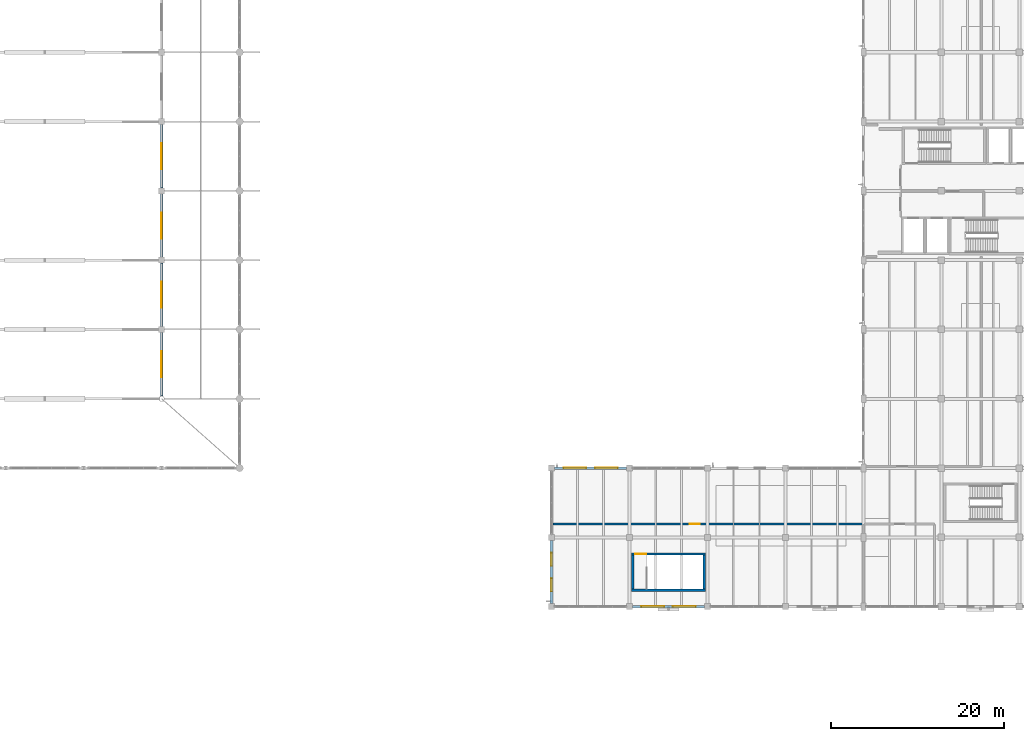
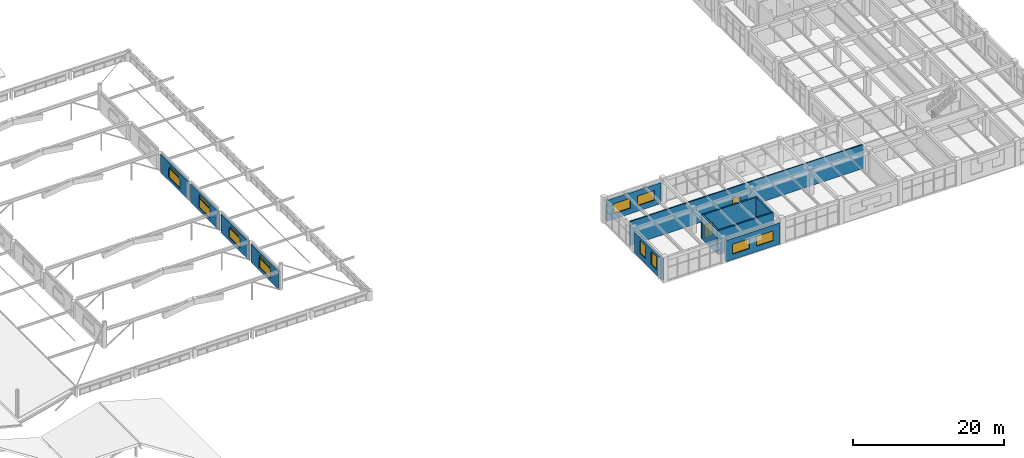
# One storey, part 109 of 128: 14 windows, 12 walls, 2 doors, 16 openings.
"""IFC4 building model written with IfcOpenShell, lengths in metres."""

from ifc_helpers import new_model, si_unit, derived_unit, direction, frame, frame_2d, origin, place, context, subcontext, project, spatial, rectangle, extrude, material, layer, layer_set, type_object, element, fill, save


model = new_model("IFC4")

# Units and contexts
model_context = context("Model", 3, precision=1e-05, world=origin(), true_north=direction((0.0, 1.0)))
body_context = subcontext(model_context, "Body", "Model", "MODEL_VIEW")
ifc_project = project(units=[si_unit("LENGTHUNIT", "METRE"), si_unit("AREAUNIT", "SQUARE_METRE"), si_unit("VOLUMEUNIT", "CUBIC_METRE"), si_unit("PLANEANGLEUNIT", "RADIAN"), si_unit("MASSUNIT", "GRAM", prefix="KILO"), derived_unit("THERMALTRANSMITTANCEUNIT", [(si_unit("MASSUNIT", "GRAM", prefix="KILO"), 1), (si_unit("TIMEUNIT", "SECOND"), -3), (si_unit("THERMODYNAMICTEMPERATUREUNIT", "KELVIN"), -1)])], contexts=[model_context])

# Site, building, storey
site_placement = place(None, origin())
site = spatial("IfcSite", under=ifc_project, at=site_placement, CompositionType="ELEMENT")
building_placement = place(site_placement, origin())
building = spatial("IfcBuilding", under=site, at=building_placement, Name="Zhenchuan Archway Interchange", CompositionType="ELEMENT")
storey_placement = place(building_placement, frame((0.0, 0.0, 14.39990234375)))
storey = spatial("IfcBuildingStorey", under=building, at=storey_placement, Name="L03", CompositionType="ELEMENT", Elevation=14.39990234375)

# Wall, openings, windows
ifc_material_1 = material(Name="Autoclaved Aerated Concrete Block", Category="concrete")
ifc_layer_1 = layer(ifc_material_1, 0.260009765625)
ifc_layer_set_1 = layer_set([ifc_layer_1], Name="Autoclaved Aerated Concrete Block")
wall_type_1 = type_object("IfcWallType", Name="EW_CLER_260", PredefinedType="STANDARD", material=ifc_layer_set_1)
wall_1_placement = place(storey_placement, frame((63.0, 39.652099609375, -0.27978515625), z_axis=(0.0, 0.0, 1.0), x_axis=(0.0, -1.0, 0.0)))
wall_1 = element("IfcWall", 1, at=wall_1_placement, inside=storey, type_object=wall_type_1, Name="Concourse raised clerestory wall E1", PredefinedType="STANDARD", context=body_context, shape_type="SweptSolid", body=[
    extrude(rectangle(XDim=7.35009765625, YDim=0.260009765625, at=frame_2d((3.675048828125, 0.0))), origin(), (0.0, 0.0, 1.0), 2.97998046875),
])
opening_1_placement = place(wall_1_placement, frame((2.175048828125, 0.0, 0.550048828125)))
opening_1 = element("IfcOpeningElement", 2, at=opening_1_placement, cuts=wall_1, Name="Opening W-10", PredefinedType="OPENING", context=body_context, shape_type="SweptSolid", body=[
    extrude(rectangle(XDim=3.0, YDim=1.5, at=frame_2d((1.5, 0.75))), frame((0.0, 0.14208984375, 0.0), z_axis=(0.0, -1.0, 0.0), x_axis=(1.0, 0.0, 0.0)), (0.0, 0.0, 1.0), 0.283935546875),
])
opening_2_placement = place(wall_1_placement, frame((2.27490234375, 0.0, 2.14990234375)))
opening_2 = element("IfcOpeningElement", 3, at=opening_2_placement, cuts=wall_1, Name="Opening SK-01", PredefinedType="OPENING", context=body_context, shape_type="SweptSolid", body=[
    extrude(rectangle(XDim=2.800048828125, YDim=0.419921875, at=frame_2d((1.39990234375, 0.2099609375))), frame((0.0, 0.14208984375, 0.0), z_axis=(0.0, -1.0, 0.0), x_axis=(1.0, 0.0, 0.0)), (0.0, 0.0, 1.0), 0.283935546875),
])
ifc_material_2 = material(Name="Double Low-E Insulated Glazing", Category="glass")
window_type_1 = type_object("IfcWindowType", Name="SK_CLER_2800x1600", PartitioningType="SINGLE_PANEL", PredefinedType="SKYLIGHT", material=ifc_material_2)
window_1_placement = place(opening_2_placement, origin())
window_1 = element("IfcWindow", 4, at=window_1_placement, inside=storey, type_object=window_type_1, Name="Concourse upper clerestory skylight E1", OverallHeight=0.419921875, OverallWidth=2.800048828125, PartitioningType="SINGLE_PANEL", PredefinedType="SKYLIGHT", context=body_context, shape_type="SweptSolid", body=[
    extrude(rectangle(XDim=2.800048828125, YDim=0.419921875, at=frame_2d((1.39990234375, 0.2099609375))), frame((0.0, 0.030029296875, 0.0), z_axis=(0.0, -1.0, 0.0), x_axis=(1.0, 0.0, 0.0)), (0.0, 0.0, 1.0), 0.06005859375),
])
fill(opening_2, window_1)
window_type_2 = type_object("IfcWindowType", Name="WN_CLER_3000x1500", PartitioningType="SINGLE_PANEL", PredefinedType="WINDOW", material=ifc_material_2)
window_2_placement = place(opening_1_placement, origin())
window_2 = element("IfcWindow", 5, at=window_2_placement, inside=storey, type_object=window_type_2, Name="Concourse daylight clerestory window E1", OverallHeight=1.5, OverallWidth=3.0, PartitioningType="SINGLE_PANEL", PredefinedType="WINDOW", context=body_context, shape_type="SweptSolid", body=[
    extrude(rectangle(XDim=3.0, YDim=1.5, at=frame_2d((1.5, 0.75))), frame((0.0, 0.030029296875, 0.0), z_axis=(0.0, -1.0, 0.0), x_axis=(1.0, 0.0, 0.0)), (0.0, 0.0, 1.0), 0.06005859375),
])
fill(opening_1, window_2)

wall_2_placement = place(storey_placement, frame((63.0, 47.652099609375, -0.27978515625), z_axis=(0.0, 0.0, 1.0), x_axis=(0.0, -1.0, 0.0)))
wall_2 = element("IfcWall", 6, at=wall_2_placement, inside=storey, type_object=wall_type_1, Name="Concourse raised clerestory wall E2", PredefinedType="STANDARD", context=body_context, shape_type="SweptSolid", body=[
    extrude(rectangle(XDim=7.30419921875, YDim=0.260009765625, at=frame_2d((3.652099609375, 0.0))), origin(), (0.0, 0.0, 1.0), 2.97998046875),
])
opening_3_placement = place(wall_2_placement, frame((2.152099609375, 0.0, 0.550048828125)))
opening_3 = element("IfcOpeningElement", 7, at=opening_3_placement, cuts=wall_2, Name="Opening W-10", PredefinedType="OPENING", context=body_context, shape_type="SweptSolid", body=[
    extrude(rectangle(XDim=3.0, YDim=1.5, at=frame_2d((1.5, 0.75))), frame((0.0, 0.14208984375, 0.0), z_axis=(0.0, -1.0, 0.0), x_axis=(1.0, 0.0, 0.0)), (0.0, 0.0, 1.0), 0.283935546875),
])
opening_4_placement = place(wall_2_placement, frame((2.552001953125, 0.0, 2.14990234375)))
opening_4 = element("IfcOpeningElement", 8, at=opening_4_placement, cuts=wall_2, Name="Opening SK-02", PredefinedType="OPENING", context=body_context, shape_type="SweptSolid", body=[
    extrude(rectangle(XDim=2.199951171875, YDim=0.419921875, at=frame_2d((1.10009765625, 0.2099609375))), frame((0.0, 0.14208984375, 0.0), z_axis=(0.0, -1.0, 0.0), x_axis=(1.0, 0.0, 0.0)), (0.0, 0.0, 1.0), 0.283935546875),
])
window_type_3 = type_object("IfcWindowType", Name="SK_CLER_2200x1400", PartitioningType="SINGLE_PANEL", PredefinedType="SKYLIGHT", material=ifc_material_2)
window_3_placement = place(opening_4_placement, origin())
window_3 = element("IfcWindow", 9, at=window_3_placement, inside=storey, type_object=window_type_3, Name="Concourse upper clerestory skylight E2", OverallHeight=0.419921875, OverallWidth=2.199951171875, PartitioningType="SINGLE_PANEL", PredefinedType="SKYLIGHT", context=body_context, shape_type="SweptSolid", body=[
    extrude(rectangle(XDim=2.199951171875, YDim=0.419921875, at=frame_2d((1.10009765625, 0.2099609375))), frame((0.0, 0.030029296875, 0.0), z_axis=(0.0, -1.0, 0.0), x_axis=(1.0, 0.0, 0.0)), (0.0, 0.0, 1.0), 0.06005859375),
])
fill(opening_4, window_3)
window_4_placement = place(opening_3_placement, origin())
window_4 = element("IfcWindow", 10, at=window_4_placement, inside=storey, type_object=window_type_2, Name="Concourse daylight clerestory window E2", OverallHeight=1.5, OverallWidth=3.0, PartitioningType="SINGLE_PANEL", PredefinedType="WINDOW", context=body_context, shape_type="SweptSolid", body=[
    extrude(rectangle(XDim=3.0, YDim=1.5, at=frame_2d((1.5, 0.75))), frame((0.0, 0.030029296875, 0.0), z_axis=(0.0, -1.0, 0.0), x_axis=(1.0, 0.0, 0.0)), (0.0, 0.0, 1.0), 0.06005859375),
])
fill(opening_3, window_4)

wall_3_placement = place(storey_placement, frame((63.0, 55.652099609375, -0.27978515625), z_axis=(0.0, 0.0, 1.0), x_axis=(0.0, -1.0, 0.0)))
wall_3 = element("IfcWall", 11, at=wall_3_placement, inside=storey, type_object=wall_type_1, Name="Concourse raised clerestory wall E3", PredefinedType="STANDARD", context=body_context, shape_type="SweptSolid", body=[
    extrude(rectangle(XDim=7.30419921875, YDim=0.260009765625, at=frame_2d((3.652099609375, 0.0))), origin(), (0.0, 0.0, 1.0), 2.97998046875),
])
opening_5_placement = place(wall_3_placement, frame((2.152099609375, 0.0, 0.550048828125)))
opening_5 = element("IfcOpeningElement", 12, at=opening_5_placement, cuts=wall_3, Name="Opening W-10", PredefinedType="OPENING", context=body_context, shape_type="SweptSolid", body=[
    extrude(rectangle(XDim=3.0, YDim=1.5, at=frame_2d((1.5, 0.75))), frame((0.0, 0.14208984375, 0.0), z_axis=(0.0, -1.0, 0.0), x_axis=(1.0, 0.0, 0.0)), (0.0, 0.0, 1.0), 0.283935546875),
])
opening_6_placement = place(wall_3_placement, frame((2.251953125, 0.0, 2.14990234375)))
opening_6 = element("IfcOpeningElement", 13, at=opening_6_placement, cuts=wall_3, Name="Opening SK-01", PredefinedType="OPENING", context=body_context, shape_type="SweptSolid", body=[
    extrude(rectangle(XDim=2.800048828125, YDim=0.419921875, at=frame_2d((1.39990234375, 0.2099609375))), frame((0.0, 0.14208984375, 0.0), z_axis=(0.0, -1.0, 0.0), x_axis=(1.0, 0.0, 0.0)), (0.0, 0.0, 1.0), 0.283935546875),
])
window_5_placement = place(opening_6_placement, origin())
window_5 = element("IfcWindow", 14, at=window_5_placement, inside=storey, type_object=window_type_1, Name="Concourse upper clerestory skylight E3", OverallHeight=0.419921875, OverallWidth=2.800048828125, PartitioningType="SINGLE_PANEL", PredefinedType="SKYLIGHT", context=body_context, shape_type="SweptSolid", body=[
    extrude(rectangle(XDim=2.800048828125, YDim=0.419921875, at=frame_2d((1.39990234375, 0.2099609375))), frame((0.0, 0.030029296875, 0.0), z_axis=(0.0, -1.0, 0.0), x_axis=(1.0, 0.0, 0.0)), (0.0, 0.0, 1.0), 0.06005859375),
])
fill(opening_6, window_5)
window_6_placement = place(opening_5_placement, origin())
window_6 = element("IfcWindow", 15, at=window_6_placement, inside=storey, type_object=window_type_2, Name="Concourse daylight clerestory window E3", OverallHeight=1.5, OverallWidth=3.0, PartitioningType="SINGLE_PANEL", PredefinedType="WINDOW", context=body_context, shape_type="SweptSolid", body=[
    extrude(rectangle(XDim=3.0, YDim=1.5, at=frame_2d((1.5, 0.75))), frame((0.0, 0.030029296875, 0.0), z_axis=(0.0, -1.0, 0.0), x_axis=(1.0, 0.0, 0.0)), (0.0, 0.0, 1.0), 0.06005859375),
])
fill(opening_5, window_6)

wall_4_placement = place(storey_placement, frame((63.0, 63.652099609375, -0.27978515625), z_axis=(0.0, 0.0, 1.0), x_axis=(0.0, -1.0, 0.0)))
wall_4 = element("IfcWall", 16, at=wall_4_placement, inside=storey, type_object=wall_type_1, Name="Concourse raised clerestory wall E4", PredefinedType="STANDARD", context=body_context, shape_type="SweptSolid", body=[
    extrude(rectangle(XDim=7.30419921875, YDim=0.260009765625, at=frame_2d((3.652099609375, 0.0))), origin(), (0.0, 0.0, 1.0), 2.97998046875),
])
opening_7_placement = place(wall_4_placement, frame((2.152099609375, 0.0, 0.550048828125)))
opening_7 = element("IfcOpeningElement", 17, at=opening_7_placement, cuts=wall_4, Name="Opening W-10", PredefinedType="OPENING", context=body_context, shape_type="SweptSolid", body=[
    extrude(rectangle(XDim=3.0, YDim=1.5, at=frame_2d((1.5, 0.75))), frame((0.0, 0.14208984375, 0.0), z_axis=(0.0, -1.0, 0.0), x_axis=(1.0, 0.0, 0.0)), (0.0, 0.0, 1.0), 0.283935546875),
])
opening_8_placement = place(wall_4_placement, frame((2.552001953125, 0.0, 2.14990234375)))
opening_8 = element("IfcOpeningElement", 18, at=opening_8_placement, cuts=wall_4, Name="Opening SK-02", PredefinedType="OPENING", context=body_context, shape_type="SweptSolid", body=[
    extrude(rectangle(XDim=2.199951171875, YDim=0.419921875, at=frame_2d((1.10009765625, 0.2099609375))), frame((0.0, 0.14208984375, 0.0), z_axis=(0.0, -1.0, 0.0), x_axis=(1.0, 0.0, 0.0)), (0.0, 0.0, 1.0), 0.283935546875),
])
window_7_placement = place(opening_8_placement, origin())
window_7 = element("IfcWindow", 19, at=window_7_placement, inside=storey, type_object=window_type_3, Name="Concourse upper clerestory skylight E4", OverallHeight=0.419921875, OverallWidth=2.199951171875, PartitioningType="SINGLE_PANEL", PredefinedType="SKYLIGHT", context=body_context, shape_type="SweptSolid", body=[
    extrude(rectangle(XDim=2.199951171875, YDim=0.419921875, at=frame_2d((1.10009765625, 0.2099609375))), frame((0.0, 0.030029296875, 0.0), z_axis=(0.0, -1.0, 0.0), x_axis=(1.0, 0.0, 0.0)), (0.0, 0.0, 1.0), 0.06005859375),
])
fill(opening_8, window_7)
window_8_placement = place(opening_7_placement, origin())
window_8 = element("IfcWindow", 20, at=window_8_placement, inside=storey, type_object=window_type_2, Name="Concourse daylight clerestory window E4", OverallHeight=1.5, OverallWidth=3.0, PartitioningType="SINGLE_PANEL", PredefinedType="WINDOW", context=body_context, shape_type="SweptSolid", body=[
    extrude(rectangle(XDim=3.0, YDim=1.5, at=frame_2d((1.5, 0.75))), frame((0.0, 0.030029296875, 0.0), z_axis=(0.0, -1.0, 0.0), x_axis=(1.0, 0.0, 0.0)), (0.0, 0.0, 1.0), 0.06005859375),
])
fill(opening_7, window_8)

ifc_material_3 = material(Name="Terracotta Masonry", Category="masonry")
ifc_layer_2 = layer(ifc_material_3, 0.300048828125)
ifc_layer_set_2 = layer_set([ifc_layer_2], Name="Terracotta Masonry")
wall_type_2 = type_object("IfcWallType", Name="EW_TERRA_300", PredefinedType="STANDARD", material=ifc_layer_set_2)
wall_5_placement = place(storey_placement, frame((108.347900390625, 24.0, 0.0), z_axis=(0.0, 0.0, 1.0), x_axis=(1.0, 0.0, 0.0)))
wall_5 = element("IfcWall", 21, at=wall_5_placement, inside=storey, type_object=wall_type_2, Name="Exterior wall L03-001", PredefinedType="STANDARD", context=body_context, shape_type="SweptSolid", body=[
    extrude(rectangle(XDim=8.30419921875, YDim=0.300048828125, at=frame_2d((4.152099609375, 0.0))), origin(), (0.0, 0.0, 1.0), 3.39013671875),
])
opening_9_placement = place(wall_5_placement, frame((1.03466796875, 0.0, 0.89990234375)))
opening_9 = element("IfcOpeningElement", 22, at=opening_9_placement, cuts=wall_5, Name="Opening W-09", PredefinedType="OPENING", context=body_context, shape_type="SweptSolid", body=[
    extrude(rectangle(XDim=2.60009765625, YDim=1.60009765625, at=frame_2d((1.300048828125, 0.800048828125))), frame((0.0, 0.162109375, 0.0), z_axis=(0.0, -1.0, 0.0), x_axis=(1.0, 0.0, 0.0)), (0.0, 0.0, 1.0), 0.323974609375),
])
opening_10_placement = place(wall_5_placement, frame((4.669189453125, 0.0, 0.89990234375)))
opening_10 = element("IfcOpeningElement", 23, at=opening_10_placement, cuts=wall_5, Name="Opening W-09", PredefinedType="OPENING", context=body_context, shape_type="SweptSolid", body=[
    extrude(rectangle(XDim=2.60009765625, YDim=1.60009765625, at=frame_2d((1.300048828125, 0.800048828125))), frame((0.0, 0.162109375, 0.0), z_axis=(0.0, -1.0, 0.0), x_axis=(1.0, 0.0, 0.0)), (0.0, 0.0, 1.0), 0.323974609375),
])
window_type_4 = type_object("IfcWindowType", Name="WN_MOD_2600x1600", PartitioningType="SINGLE_PANEL", PredefinedType="WINDOW", material=ifc_material_2)
window_9_placement = place(opening_9_placement, origin())
window_9 = element("IfcWindow", 24, at=window_9_placement, inside=storey, type_object=window_type_4, Name="Window L03-0264", OverallHeight=1.60009765625, OverallWidth=2.60009765625, PartitioningType="SINGLE_PANEL", PredefinedType="WINDOW", context=body_context, shape_type="SweptSolid", body=[
    extrude(rectangle(XDim=2.60009765625, YDim=1.60009765625, at=frame_2d((1.300048828125, 0.800048828125))), frame((0.0, 0.030029296875, 0.0), z_axis=(0.0, -1.0, 0.0), x_axis=(1.0, 0.0, 0.0)), (0.0, 0.0, 1.0), 0.06005859375),
])
fill(opening_9, window_9)
window_10_placement = place(opening_10_placement, origin())
window_10 = element("IfcWindow", 25, at=window_10_placement, inside=storey, type_object=window_type_4, Name="Window L03-0265", OverallHeight=1.60009765625, OverallWidth=2.60009765625, PartitioningType="SINGLE_PANEL", PredefinedType="WINDOW", context=body_context, shape_type="SweptSolid", body=[
    extrude(rectangle(XDim=2.60009765625, YDim=1.60009765625, at=frame_2d((1.300048828125, 0.800048828125))), frame((0.0, 0.030029296875, 0.0), z_axis=(0.0, -1.0, 0.0), x_axis=(1.0, 0.0, 0.0)), (0.0, 0.0, 1.0), 0.06005859375),
])
fill(opening_10, window_10)

wall_6_placement = place(storey_placement, frame((125.652099609375, 8.0, 0.0), z_axis=(0.0, 0.0, 1.0), x_axis=(-1.0, 0.0, 0.0)))
wall_6 = element("IfcWall", 26, at=wall_6_placement, inside=storey, type_object=wall_type_2, Name="Exterior wall L03-043", PredefinedType="STANDARD", context=body_context, shape_type="SweptSolid", body=[
    extrude(rectangle(XDim=8.30419921875, YDim=0.300048828125, at=frame_2d((4.152099609375, 0.0))), origin(), (0.0, 0.0, 1.0), 3.440185546875),
])
opening_11_placement = place(wall_6_placement, frame((1.03466796875, 0.0, 0.89990234375)))
opening_11 = element("IfcOpeningElement", 27, at=opening_11_placement, cuts=wall_6, Name="Opening W-09", PredefinedType="OPENING", context=body_context, shape_type="SweptSolid", body=[
    extrude(rectangle(XDim=2.60009765625, YDim=1.60009765625, at=frame_2d((1.300048828125, 0.800048828125))), frame((0.0, 0.162109375, 0.0), z_axis=(0.0, -1.0, 0.0), x_axis=(1.0, 0.0, 0.0)), (0.0, 0.0, 1.0), 0.323974609375),
])
opening_12_placement = place(wall_6_placement, frame((4.669189453125, 0.0, 0.89990234375)))
opening_12 = element("IfcOpeningElement", 28, at=opening_12_placement, cuts=wall_6, Name="Opening W-09", PredefinedType="OPENING", context=body_context, shape_type="SweptSolid", body=[
    extrude(rectangle(XDim=2.60009765625, YDim=1.60009765625, at=frame_2d((1.300048828125, 0.800048828125))), frame((0.0, 0.162109375, 0.0), z_axis=(0.0, -1.0, 0.0), x_axis=(1.0, 0.0, 0.0)), (0.0, 0.0, 1.0), 0.323974609375),
])
window_11_placement = place(opening_11_placement, origin())
window_11 = element("IfcWindow", 29, at=window_11_placement, inside=storey, type_object=window_type_4, Name="Window L03-0306", OverallHeight=1.60009765625, OverallWidth=2.60009765625, PartitioningType="SINGLE_PANEL", PredefinedType="WINDOW", context=body_context, shape_type="SweptSolid", body=[
    extrude(rectangle(XDim=2.60009765625, YDim=1.60009765625, at=frame_2d((1.300048828125, 0.800048828125))), frame((0.0, 0.030029296875, 0.0), z_axis=(0.0, -1.0, 0.0), x_axis=(1.0, 0.0, 0.0)), (0.0, 0.0, 1.0), 0.06005859375),
])
fill(opening_11, window_11)
window_12_placement = place(opening_12_placement, origin())
window_12 = element("IfcWindow", 30, at=window_12_placement, inside=storey, type_object=window_type_4, Name="Window L03-0307", OverallHeight=1.60009765625, OverallWidth=2.60009765625, PartitioningType="SINGLE_PANEL", PredefinedType="WINDOW", context=body_context, shape_type="SweptSolid", body=[
    extrude(rectangle(XDim=2.60009765625, YDim=1.60009765625, at=frame_2d((1.300048828125, 0.800048828125))), frame((0.0, 0.030029296875, 0.0), z_axis=(0.0, -1.0, 0.0), x_axis=(1.0, 0.0, 0.0)), (0.0, 0.0, 1.0), 0.06005859375),
])
fill(opening_12, window_12)

wall_7_placement = place(storey_placement, frame((108.0, 8.347900390625, 0.0), z_axis=(0.0, 0.0, 1.0), x_axis=(0.0, 1.0, 0.0)))
wall_7 = element("IfcWall", 31, at=wall_7_placement, inside=storey, type_object=wall_type_2, Name="Exterior wall L03-045", PredefinedType="STANDARD", context=body_context, shape_type="SweptSolid", body=[
    extrude(rectangle(XDim=7.30419921875, YDim=0.300048828125, at=frame_2d((3.652099609375, 0.0))), origin(), (0.0, 0.0, 1.0), 3.440185546875),
])
opening_13_placement = place(wall_7_placement, frame((1.434814453125, 0.0, 0.89990234375)))
opening_13 = element("IfcOpeningElement", 32, at=opening_13_placement, cuts=wall_7, Name="Opening W-05", PredefinedType="OPENING", context=body_context, shape_type="SweptSolid", body=[
    extrude(rectangle(XDim=1.5, YDim=2.10009765625, at=frame_2d((0.75, 1.050048828125))), frame((0.0, 0.162109375, 0.0), z_axis=(0.0, -1.0, 0.0), x_axis=(1.0, 0.0, 0.0)), (0.0, 0.0, 1.0), 0.323974609375),
])
opening_14_placement = place(wall_7_placement, frame((4.369384765625, 0.0, 0.89990234375)))
opening_14 = element("IfcOpeningElement", 33, at=opening_14_placement, cuts=wall_7, Name="Opening W-05", PredefinedType="OPENING", context=body_context, shape_type="SweptSolid", body=[
    extrude(rectangle(XDim=1.5, YDim=2.10009765625, at=frame_2d((0.75, 1.050048828125))), frame((0.0, 0.162109375, 0.0), z_axis=(0.0, -1.0, 0.0), x_axis=(1.0, 0.0, 0.0)), (0.0, 0.0, 1.0), 0.323974609375),
])
window_type_5 = type_object("IfcWindowType", Name="WN_PUNCH_1500x2100", PartitioningType="SINGLE_PANEL", PredefinedType="WINDOW", material=ifc_material_2)
window_13_placement = place(opening_13_placement, origin())
window_13 = element("IfcWindow", 34, at=window_13_placement, inside=storey, type_object=window_type_5, Name="Window L03-0308", OverallHeight=2.10009765625, OverallWidth=1.5, PartitioningType="SINGLE_PANEL", PredefinedType="WINDOW", context=body_context, shape_type="SweptSolid", body=[
    extrude(rectangle(XDim=1.5, YDim=2.10009765625, at=frame_2d((0.75, 1.050048828125))), frame((0.0, 0.030029296875, 0.0), z_axis=(0.0, -1.0, 0.0), x_axis=(1.0, 0.0, 0.0)), (0.0, 0.0, 1.0), 0.06005859375),
])
fill(opening_13, window_13)
window_14_placement = place(opening_14_placement, origin())
window_14 = element("IfcWindow", 35, at=window_14_placement, inside=storey, type_object=window_type_5, Name="Window L03-0309", OverallHeight=2.10009765625, OverallWidth=1.5, PartitioningType="SINGLE_PANEL", PredefinedType="WINDOW", context=body_context, shape_type="SweptSolid", body=[
    extrude(rectangle(XDim=1.5, YDim=2.10009765625, at=frame_2d((0.75, 1.050048828125))), frame((0.0, 0.030029296875, 0.0), z_axis=(0.0, -1.0, 0.0), x_axis=(1.0, 0.0, 0.0)), (0.0, 0.0, 1.0), 0.06005859375),
])
fill(opening_14, window_14)

# Wall, opening, door
ifc_material_4 = material(Name="Concrete Block Masonry", Category="masonry")
ifc_layer_3 = layer(ifc_material_4, 0.179931640625)
ifc_layer_set_3 = layer_set([ifc_layer_3], Name="Concrete Block Masonry")
wall_type_3 = type_object("IfcWallType", Name="WL_PART_180", PredefinedType="STANDARD", material=ifc_layer_set_3)
wall_8_placement = place(storey_placement, frame((108.1650390625, 17.550048828125, 0.0), z_axis=(0.0, 0.0, 1.0), x_axis=(1.0, 0.0, 0.0)))
wall_8 = element("IfcWall", 36, at=wall_8_placement, inside=storey, type_object=wall_type_3, Name="Bus Network Dispatch Centre N partition (L03)", PredefinedType="STANDARD", context=body_context, shape_type="SweptSolid", body=[
    extrude(rectangle(XDim=35.8349609375, YDim=0.179931640625, at=frame_2d((17.91748046875, 0.0))), origin(), (0.0, 0.0, 1.0), 3.900146484375),
])
opening_15_placement = place(wall_8_placement, frame((15.78173828125, 0.0, 0.0)))
opening_15 = element("IfcOpeningElement", 37, at=opening_15_placement, cuts=wall_8, Name="Opening ID-06", PredefinedType="OPENING", context=body_context, shape_type="SweptSolid", body=[
    extrude(rectangle(XDim=1.14990234375, YDim=2.14990234375, at=frame_2d((0.574951171875, 1.074951171875))), frame((0.0, 0.10205078125, 0.0), z_axis=(0.0, -1.0, 0.0), x_axis=(1.0, 0.0, 0.0)), (0.0, 0.0, 1.0), 0.203857421875),
])
ifc_material_5 = material(Name="Hardwood Timber", Category="wood")
door_type_1 = type_object("IfcDoorType", Name="DR_CTRL_115", OperationType="NOTDEFINED", PredefinedType="DOOR", material=ifc_material_5)
door_1_placement = place(opening_15_placement, origin())
door_1 = element("IfcDoor", 38, at=door_1_placement, inside=storey, type_object=door_type_1, Name="Bus Network Dispatch Centre door (L03)", OperationType="SINGLE_SWING_RIGHT", OverallHeight=2.14990234375, OverallWidth=1.14990234375, PredefinedType="DOOR", context=body_context, shape_type="SweptSolid", body=[
    extrude(rectangle(XDim=1.14990234375, YDim=2.14990234375, at=frame_2d((0.574951171875, 1.074951171875))), frame((0.0, 0.02490234375, 0.0), z_axis=(0.0, -1.0, 0.0), x_axis=(1.0, 0.0, 0.0)), (0.0, 0.0, 1.0), 0.050048828125),
])
fill(opening_15, door_1)

# Wall
ifc_material_6 = material(Name="Concrete C40", Category="concrete")
ifc_layer_4 = layer(ifc_material_6, 0.25)
ifc_layer_set_4 = layer_set([ifc_layer_4], Name="Concrete C40")
wall_type_4 = type_object("IfcWallType", Name="WL_STAIR_250", PredefinedType="SHEAR", material=ifc_layer_set_4)
wall_9_placement = place(storey_placement, frame((117.2548828125, 9.89990234375, 0.0), z_axis=(0.0, 0.0, 1.0), x_axis=(1.0, 0.0, 0.0)))
element("IfcWall", 39, at=wall_9_placement, inside=storey, type_object=wall_type_4, Name="Stair ST-O5 south wall (L03)", PredefinedType="SHEAR", context=body_context, shape_type="SweptSolid", body=[
    extrude(rectangle(XDim=8.490234375, YDim=0.25, at=frame_2d((4.2451171875, 0.0))), origin(), (0.0, 0.0, 1.0), 3.900146484375),
])

# Wall, opening, door
wall_10_placement = place(storey_placement, frame((125.7451171875, 14.10009765625, 0.0), z_axis=(0.0, 0.0, 1.0), x_axis=(-1.0, 0.0, 0.0)))
wall_10 = element("IfcWall", 40, at=wall_10_placement, inside=storey, type_object=wall_type_4, Name="Stair ST-O5 north wall (L03)", PredefinedType="SHEAR", context=body_context, shape_type="SweptSolid", body=[
    extrude(rectangle(XDim=8.490234375, YDim=0.25, at=frame_2d((4.2451171875, 0.0))), origin(), (0.0, 0.0, 1.0), 3.900146484375),
])
opening_16_placement = place(wall_10_placement, frame((6.8349609375, 0.0, 0.0)))
opening_16 = element("IfcOpeningElement", 41, at=opening_16_placement, cuts=wall_10, Name="Opening FD-01", PredefinedType="OPENING", context=body_context, shape_type="SweptSolid", body=[
    extrude(rectangle(XDim=1.25, YDim=2.14990234375, at=frame_2d((0.625, 1.074951171875))), frame((0.0, 0.136962890625, 0.0), z_axis=(0.0, -1.0, 0.0), x_axis=(1.0, 0.0, 0.0)), (0.0, 0.0, 1.0), 0.27392578125),
])
ifc_material_7 = material(Name="Painted Galvanised Steel", Category="steel")
door_type_2 = type_object("IfcDoorType", Name="DR_STAIR_FD90", OperationType="NOTDEFINED", PredefinedType="DOOR", material=ifc_material_7)
door_2_placement = place(opening_16_placement, origin())
door_2 = element("IfcDoor", 42, at=door_2_placement, inside=storey, type_object=door_type_2, Name="Stair ST-O5 fire door (L03)", OperationType="SINGLE_SWING_RIGHT", OverallHeight=2.14990234375, OverallWidth=1.25, PredefinedType="DOOR", context=body_context, shape_type="SweptSolid", body=[
    extrude(rectangle(XDim=1.25, YDim=2.14990234375, at=frame_2d((0.625, 1.074951171875))), frame((0.0, 0.02490234375, 0.0), z_axis=(0.0, -1.0, 0.0), x_axis=(1.0, 0.0, 0.0)), (0.0, 0.0, 1.0), 0.050048828125),
])
fill(opening_16, door_2)

# Walls
for number, where, z_axis, x_axis, name in (
    (43, (117.3798828125, 13.97509765625, 0.0), (0.0, 0.0, 1.0), (0.0, -1.0, 0.0), "Stair ST-O5 west wall (L03)"),
    (44, (125.6201171875, 10.02490234375, 0.0), (0.0, 0.0, 1.0), (0.0, 1.0, 0.0), "Stair ST-O5 east wall (L03)"),
):
    element("IfcWall", number, at=place(storey_placement, frame(where, z_axis=z_axis, x_axis=x_axis)), inside=storey, type_object=wall_type_4, Name=name, PredefinedType="SHEAR", context=body_context, shape_type="SweptSolid", body=[
        extrude(rectangle(XDim=3.9501953125, YDim=0.25, at=frame_2d((1.97509765625, 0.0))), origin(), (0.0, 0.0, 1.0), 3.900146484375),
    ])

save(model, "model.ifc")
